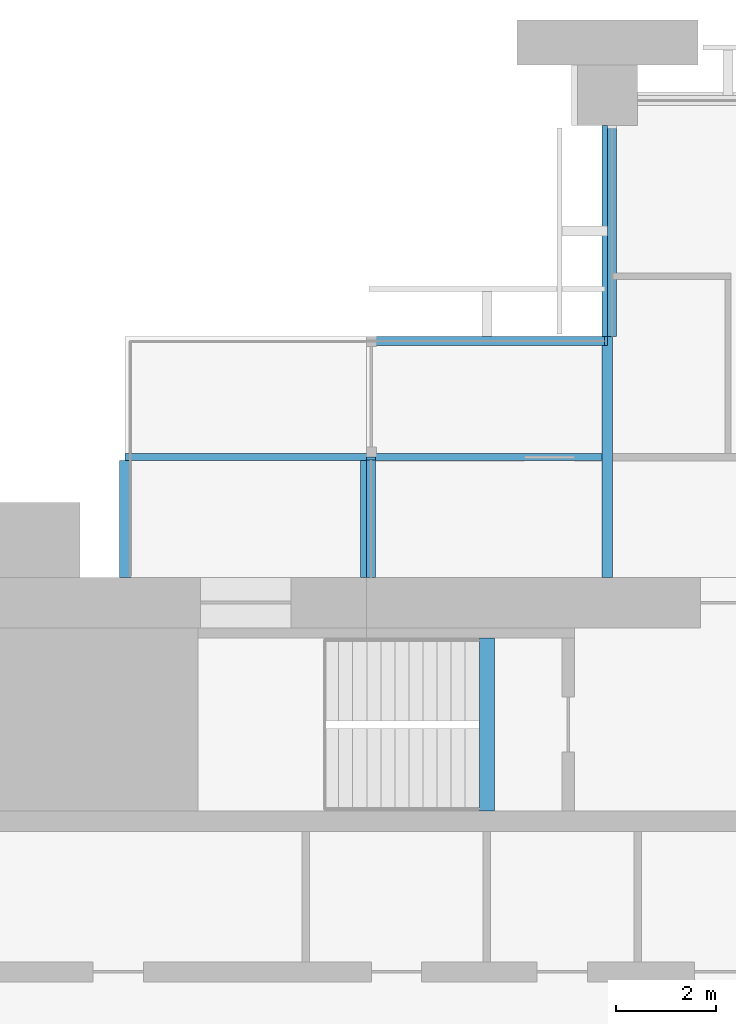
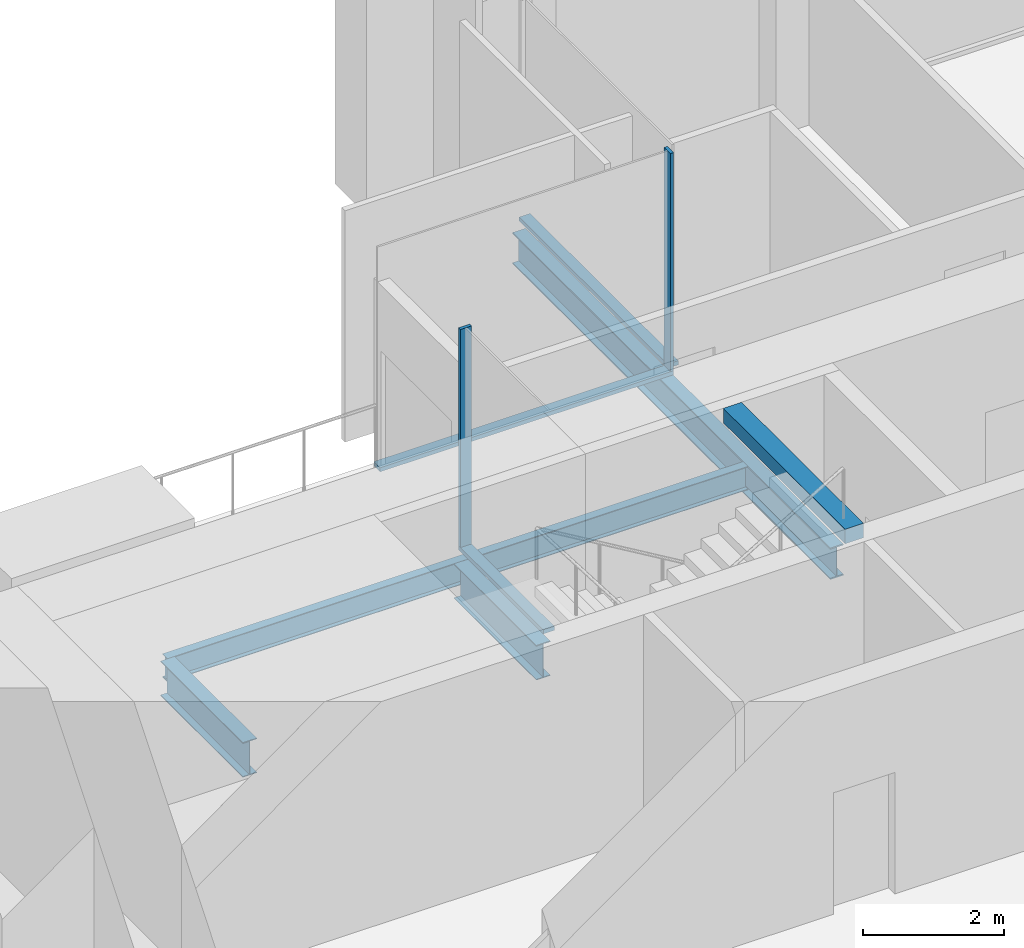
# One storey, part 5 of 14: 5 beams, 5 members, 3 elements without a shape of their own.
"""IFC4 building model written with IfcOpenShell, lengths in metres."""

from ifc_helpers import new_model, si_unit, direction, frame, origin, origin_2d, place, context, subcontext, project, spatial, rectangle, i_section, extrude, material, material_profile, profile_set, type_object, element, aggregate, save


model = new_model("IFC4")

# Units and contexts
model_context = context("Model", 3, precision=1e-05, world=origin(), true_north=direction((0.0, 1.0)))
body_context = subcontext(model_context, "Body", "Model", "MODEL_VIEW")
ifc_project = project(units=[si_unit("LENGTHUNIT", "METRE"), si_unit("AREAUNIT", "SQUARE_METRE"), si_unit("VOLUMEUNIT", "CUBIC_METRE"), si_unit("PLANEANGLEUNIT", "RADIAN"), si_unit("MASSUNIT", "GRAM", prefix="KILO")], contexts=[model_context])

# Site, building, storey
site_placement = place(None, origin())
site = spatial("IfcSite", under=ifc_project, at=site_placement, CompositionType="ELEMENT")
building_placement = place(site_placement, origin())
building = spatial("IfcBuilding", under=site, at=building_placement, Name="Baori Bourse Tower", CompositionType="ELEMENT")
storey_placement = place(building_placement, frame((0.0, 0.0, 168.10009765625)))
storey = spatial("IfcBuildingStorey", under=building, at=storey_placement, Name="L37", CompositionType="ELEMENT", Elevation=168.10009765625)

# Curtain wall, member
ifc_material_1 = material(Name="Pale anodised aluminium", Category="aluminium")
curtain_wall_type = type_object("IfcCurtainWallType", Name="CW2 Curtain wall", PredefinedType="NOTDEFINED", material=ifc_material_1)
curtain_wall_1_placement = place(storey_placement, origin())
curtain_wall_1 = element("IfcCurtainWall", 1, at=curtain_wall_1_placement, inside=storey, type_object=curtain_wall_type, Name="Curtain wall CW2 L37 6", PredefinedType="NOTDEFINED")
ifc_material_2 = material(Name="Pale anodised aluminium", Category="aluminium")
ifc_material_profile_1 = material_profile(ifc_material_2, rectangle(XDim=0.179931640625, YDim=0.054931640625, at=origin_2d()), Name="Mullion 55x180")
ifc_profile_set_1 = profile_set([ifc_material_profile_1], Name="Pale anodised aluminium")
member_type_1 = type_object("IfcMemberType", Name="CW2 Curtain wall mullion", PredefinedType="MULLION", material=ifc_profile_set_1)
member_1_placement = place(storey_placement, frame((14.37255859375, 43.110107421875, 0.06982421875), z_axis=(0.0, 0.0, 1.0), x_axis=(0.0, -1.0, 0.0)))
member_1 = element("IfcMember", 2, at=member_1_placement, type_object=member_type_1, Name="Curtain wall CW2 mullion", PredefinedType="MULLION", context=body_context, shape_type="SweptSolid", body=[
    extrude(rectangle(XDim=0.179931640625, YDim=0.054931640625, at=origin_2d()), origin(), (0.0, 0.0, 1.0), 3.77001953125),
])

curtain_wall_2_placement = place(storey_placement, origin())
curtain_wall_2 = element("IfcCurtainWall", 3, at=curtain_wall_2_placement, inside=storey, type_object=curtain_wall_type, Name="Curtain wall CW2 L37 7", PredefinedType="NOTDEFINED")
member_2_placement = place(storey_placement, frame((9.68994140625, 40.7724609375, 0.06982421875), z_axis=(0.0, 0.0, 1.0), x_axis=(1.0, 0.0, 0.0)))
member_2 = element("IfcMember", 4, at=member_2_placement, type_object=member_type_1, Name="Curtain wall CW2 mullion", PredefinedType="MULLION", context=body_context, shape_type="SweptSolid", body=[
    extrude(rectangle(XDim=0.179931640625, YDim=0.054931640625, at=origin_2d()), origin(), (0.0, 0.0, 1.0), 3.77001953125),
])

curtain_wall_3_placement = place(storey_placement, origin())
curtain_wall_3 = element("IfcCurtainWall", 5, at=curtain_wall_3_placement, inside=storey, type_object=curtain_wall_type, Name="Curtain wall CW2 L37 5", PredefinedType="NOTDEFINED")
ifc_material_3 = material(Name="Pale anodised aluminium", Category="aluminium")
ifc_material_profile_2 = material_profile(ifc_material_3, rectangle(XDim=0.179931640625, YDim=0.070068359375, at=origin_2d()), Name="Transom 70x180")
ifc_profile_set_2 = profile_set([ifc_material_profile_2], Name="Pale anodised aluminium")
member_type_2 = type_object("IfcMemberType", Name="CW2 Curtain wall transom", PredefinedType="USERDEFINED", material=ifc_profile_set_2)
member_3_placement = place(storey_placement, frame((14.489990234375, 47.39990234375, 0.034912109375), z_axis=(0.0, -1.0, 0.0), x_axis=(1.0, 0.0, 0.0)))
member_3 = element("IfcMember", 6, at=member_3_placement, type_object=member_type_2, Name="Curtain wall CW2 sill rail", ObjectType="TRANSOM", PredefinedType="USERDEFINED", context=body_context, shape_type="SweptSolid", body=[
    extrude(rectangle(XDim=0.179931640625, YDim=0.070068359375, at=origin_2d()), origin(), (0.0, 0.0, 1.0), 4.199951171875),
])
aggregate(curtain_wall_3, [member_3])

# Member
member_4_placement = place(storey_placement, frame((14.39990234375, 43.110107421875, 0.034912109375), z_axis=(-1.0, 0.0, 0.0), x_axis=(0.0, -1.0, 0.0)))
member_4 = element("IfcMember", 7, at=member_4_placement, type_object=member_type_2, Name="Curtain wall CW2 sill rail", ObjectType="TRANSOM", PredefinedType="USERDEFINED", context=body_context, shape_type="SweptSolid", body=[
    extrude(rectangle(XDim=0.179931640625, YDim=0.070068359375, at=origin_2d()), origin(), (0.0, 0.0, 1.0), 4.7998046875),
])

aggregate(curtain_wall_1, [member_4, member_1])

member_5_placement = place(storey_placement, frame((9.68994140625, 40.800048828125, 0.034912109375), z_axis=(0.0, -1.0, 0.0), x_axis=(1.0, 0.0, 0.0)))
member_5 = element("IfcMember", 8, at=member_5_placement, type_object=member_type_2, Name="Curtain wall CW2 sill rail", ObjectType="TRANSOM", PredefinedType="USERDEFINED", context=body_context, shape_type="SweptSolid", body=[
    extrude(rectangle(XDim=0.179931640625, YDim=0.070068359375, at=origin_2d()), origin(), (0.0, 0.0, 1.0), 2.400146484375),
])

aggregate(curtain_wall_2, [member_5, member_2])

# Beams
ifc_material_4 = material(Name="Steel A992 Gr 50", Category="steel")
ifc_material_profile_3 = material_profile(ifc_material_4, i_section(OverallWidth=0.227783203125, OverallDepth=0.60205078125, WebThickness=0.010498046875, FlangeThickness=0.014892578125, at=origin_2d()), Name="W24x68")
ifc_profile_set_3 = profile_set([ifc_material_profile_3], Name="Steel A992 Gr 50")
beam_type_1 = type_object("IfcBeamType", Name="Core bracket W24x68", PredefinedType="BEAM", material=ifc_profile_set_3)
for number, where, z_axis, x_axis, name in (
    (9, (4.800048828125, 38.39990234375, -0.461181640625), (0.0, 1.0, 0.0), (-1.0, 0.0, 0.0), "Core bracket L37"),
    (10, (9.60009765625, 38.39990234375, -0.461181640625), (0.0, 1.0, 0.0), (-1.0, 0.0, 0.0), "Core bracket L37"),
):
    element("IfcBeam", number, at=place(storey_placement, frame(where, z_axis=z_axis, x_axis=x_axis)), inside=storey, type_object=beam_type_1, Name=name, PredefinedType="BEAM", context=body_context, shape_type="SweptSolid", body=[
        extrude(i_section(OverallWidth=0.227783203125, OverallDepth=0.60205078125, WebThickness=0.010498046875, FlangeThickness=0.014892578125, at=origin_2d()), origin(), (0.0, 0.0, 1.0), 2.329833984375),
    ])
ifc_material_5 = material(Name="Steel A992 Gr 50", Category="steel")
ifc_material_profile_4 = material_profile(ifc_material_5, i_section(OverallWidth=0.21240234375, OverallDepth=0.54345703125, WebThickness=0.01318359375, FlangeThickness=0.021240234375, at=origin_2d()), Name="W21x83")
ifc_profile_set_4 = profile_set([ifc_material_profile_4], Name="Steel A992 Gr 50")
beam_type_2 = type_object("IfcBeamType", Name="Floor beam W21x83", PredefinedType="BEAM", material=ifc_profile_set_4)
beam_1_placement = place(storey_placement, frame((14.39990234375, 38.39990234375, -0.431884765625), z_axis=(0.0, 1.0, 0.0), x_axis=(-1.0, 0.0, 0.0)))
element("IfcBeam", 11, at=beam_1_placement, inside=storey, type_object=beam_type_2, Name="Floor beam L37", PredefinedType="BEAM", context=body_context, shape_type="SweptSolid", body=[
    extrude(i_section(OverallWidth=0.21240234375, OverallDepth=0.54345703125, WebThickness=0.01318359375, FlangeThickness=0.021240234375, at=origin_2d()), origin(), (0.0, 0.0, 1.0), 9.0),
])
ifc_material_6 = material(Name="Concrete f'c 50 MPa", Category="concrete")
ifc_material_profile_5 = material_profile(ifc_material_6, rectangle(XDim=0.300048828125, YDim=0.25, at=origin_2d()), Name="RC 300x250")
ifc_profile_set_5 = profile_set([ifc_material_profile_5], Name="Concrete f'c 50 MPa")
beam_type_3 = type_object("IfcBeamType", Name="Stair nib beam RC 300x250", PredefinedType="BEAM", material=ifc_profile_set_5)
beam_2_placement = place(storey_placement, frame((12.0, 33.75, 3.71484375), z_axis=(0.0, 1.0, 0.0), x_axis=(-1.0, 0.0, 0.0)))
element("IfcBeam", 12, at=beam_2_placement, inside=storey, type_object=beam_type_3, Name="Stair WB nib beam L38", PredefinedType="BEAM", context=body_context, shape_type="SweptSolid", body=[
    extrude(rectangle(XDim=0.300048828125, YDim=0.25, at=origin_2d()), origin(), (0.0, 0.0, 1.0), 3.449951171875),
])
ifc_material_7 = material(Name="Steel A992 Gr 50", Category="steel")
ifc_material_profile_6 = material_profile(ifc_material_7, i_section(OverallWidth=0.140380859375, OverallDepth=0.40380859375, WebThickness=0.007080078125, FlangeThickness=0.01123046875, at=origin_2d()), Name="W16x31")
ifc_profile_set_6 = profile_set([ifc_material_profile_6], Name="Steel A992 Gr 50")
beam_type_4 = type_object("IfcBeamType", Name="Trimmer beam W16x31", PredefinedType="BEAM", material=ifc_profile_set_6)
beam_3_placement = place(storey_placement, frame((4.800048828125, 40.800048828125, -0.362060546875), z_axis=(1.0, 0.0, 0.0), x_axis=(0.0, 1.0, 0.0)))
element("IfcBeam", 13, at=beam_3_placement, inside=storey, type_object=beam_type_4, Name="Trimmer beam L37", PredefinedType="BEAM", context=body_context, shape_type="SweptSolid", body=[
    extrude(i_section(OverallWidth=0.140380859375, OverallDepth=0.40380859375, WebThickness=0.007080078125, FlangeThickness=0.01123046875, at=origin_2d()), origin(), (0.0, 0.0, 1.0), 9.493896484375),
])

save(model, "model.ifc")
